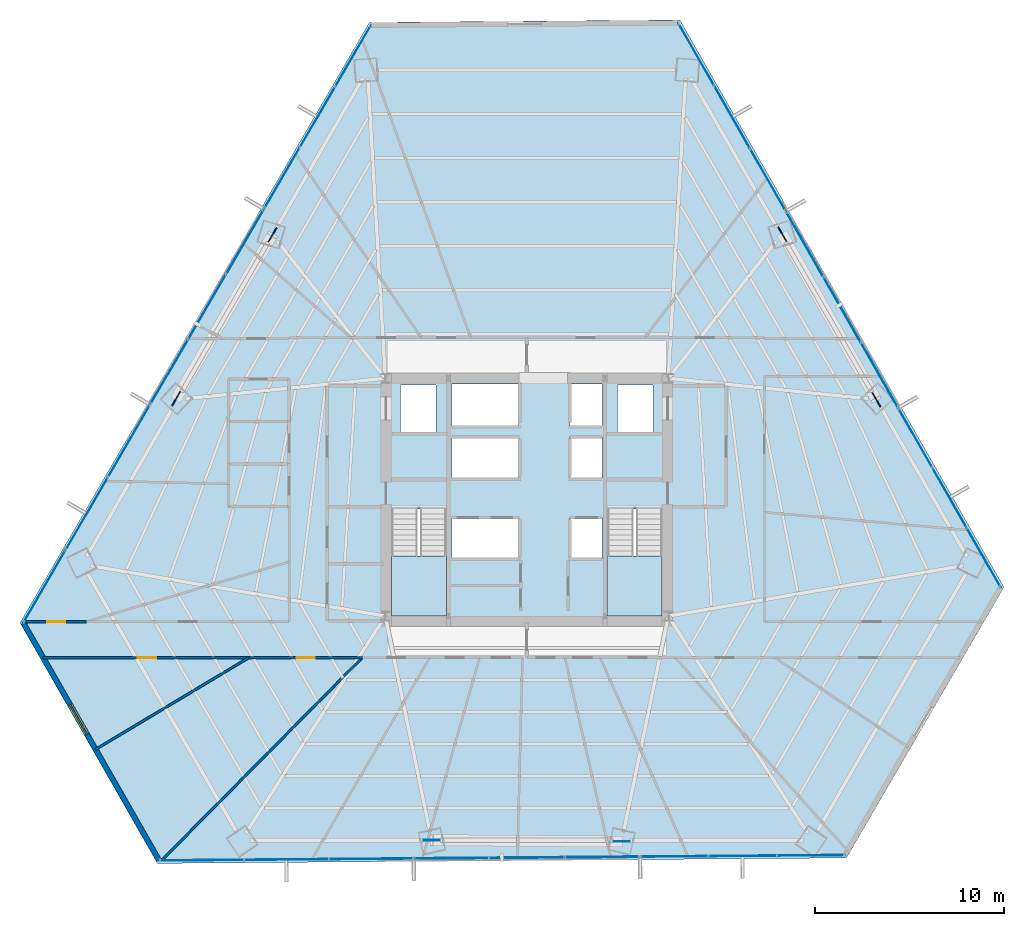
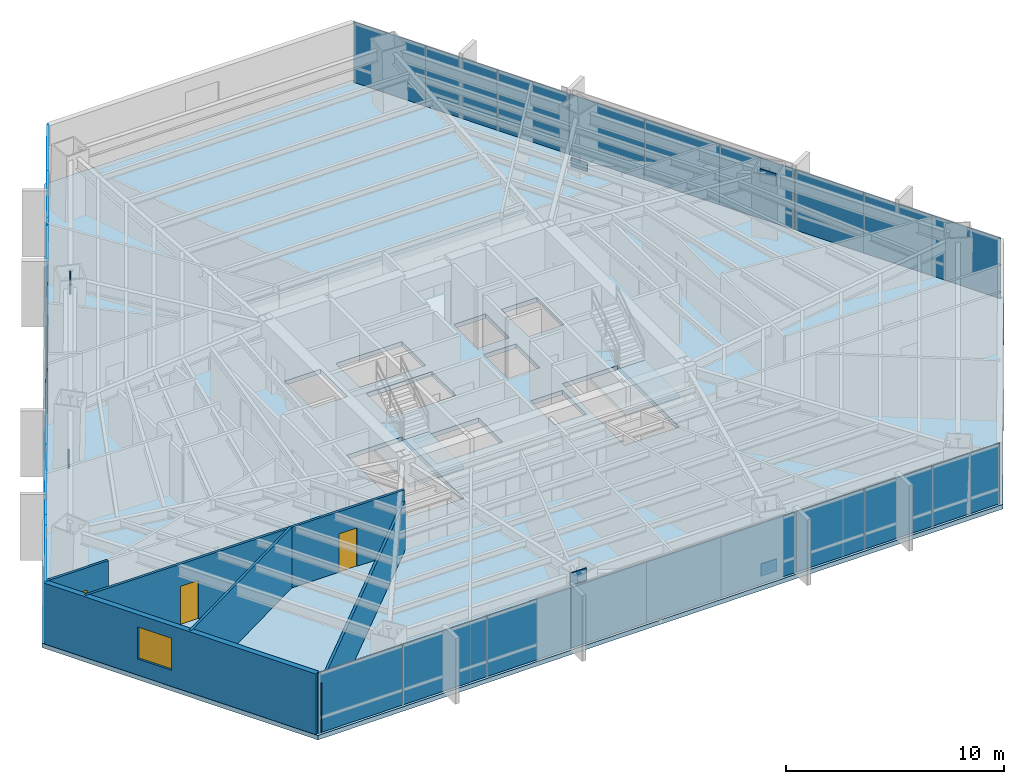
# One storey, part 29 of 36: 33 plates, 6 walls, 3 doors, 3 slabs, 1 window, 4 openings, 11 elements without a shape of their own.
"""IFC4 building model written with IfcOpenShell, lengths in metres."""

from ifc_helpers import new_model, si_unit, direction, frame, frame_2d, origin, origin_2d, place, context, subcontext, project, spatial, polyline, rectangle, outline, extrude, source, transform, mapped, material, layer, layer_set, type_object, type_shapes, element, fill, aggregate, save


model = new_model("IFC4")

# Units and contexts
model_context = context("Model", 3, precision=1e-05, world=origin(), true_north=direction((0.0, 1.0)))
body_context = subcontext(model_context, "Body", "Model", "MODEL_VIEW")
ifc_project = project(units=[si_unit("LENGTHUNIT", "METRE"), si_unit("AREAUNIT", "SQUARE_METRE"), si_unit("VOLUMEUNIT", "CUBIC_METRE"), si_unit("PLANEANGLEUNIT", "RADIAN"), si_unit("MASSUNIT", "GRAM", prefix="KILO")], contexts=[model_context])

# Site, building, storey
site_placement = place(None, origin())
site = spatial("IfcSite", under=ifc_project, at=site_placement, CompositionType="ELEMENT")
building_placement = place(site_placement, origin())
building = spatial("IfcBuilding", under=site, at=building_placement, Name="Caelisora Broadcast Tower", CompositionType="ELEMENT")
storey_placement = place(building_placement, frame((0.0, 0.0, 60.449951171875)))
storey = spatial("IfcBuildingStorey", under=building, at=storey_placement, Name="L15", CompositionType="ELEMENT", Elevation=60.449951171875)

# Slab
ifc_material_1 = material(Name="Concrete 40 MPa (AS 3600 N40)", Category="concrete")
ifc_layer_1 = layer(ifc_material_1, 0.25, Name="Concrete 40 MPa (AS 3600 N40)")
ifc_layer_set_1 = layer_set([ifc_layer_1], Name="Concrete 40 MPa (AS 3600 N40)")
slab_type_1 = type_object("IfcSlabType", Name="SL04", PredefinedType="FLOOR", material=ifc_layer_set_1)
slab_1_placement = place(storey_placement, frame((0.0, 0.0, -0.25)))
element("IfcSlab", 1, at=slab_1_placement, inside=storey, type_object=slab_type_1, Name="L15 suspended floor SL04", PredefinedType="FLOOR", context=body_context, shape_type="SweptSolid", body=[
    extrude(outline(polyline([(46.118896484375, 48.989013671875), (29.654052734375, 48.85791015625), (11.14208984375, 17.0400390625), (18.425048828125, 4.2880859375), (54.946044921875, 4.5791015625), (63.2919921875, 18.924072265625), (46.118896484375, 48.989013671875)]), holes=[polyline([(30.820068359375, 17.39990234375), (33.739990234375, 17.39990234375), (33.739990234375, 23.080078125), (30.820068359375, 23.080078125), (30.820068359375, 17.39990234375)]), polyline([(42.260009765625, 17.39990234375), (45.179931640625, 17.39990234375), (45.179931640625, 23.080078125), (42.260009765625, 23.080078125), (42.260009765625, 17.39990234375)]), polyline([(42.800048828125, 27.14990234375), (44.699951171875, 27.14990234375), (44.699951171875, 29.64990234375), (42.800048828125, 29.64990234375), (42.800048828125, 27.14990234375)]), polyline([(40.300048828125, 20.429931640625), (42.0, 20.429931640625), (42.0, 22.6298828125), (40.300048828125, 22.6298828125), (40.300048828125, 20.429931640625)]), polyline([(40.300048828125, 24.719970703125), (42.0, 24.719970703125), (42.0, 26.919921875), (40.300048828125, 26.919921875), (40.300048828125, 24.719970703125)]), polyline([(40.300048828125, 27.5), (42.0, 27.5), (42.0, 29.699951171875), (40.300048828125, 29.699951171875), (40.300048828125, 27.5)]), polyline([(34.050048828125, 20.429931640625), (37.550048828125, 20.429931640625), (37.550048828125, 22.6298828125), (34.050048828125, 22.6298828125), (34.050048828125, 20.429931640625)]), polyline([(34.050048828125, 24.719970703125), (37.550048828125, 24.719970703125), (37.550048828125, 26.919921875), (34.050048828125, 26.919921875), (34.050048828125, 24.719970703125)]), polyline([(34.050048828125, 27.5), (37.550048828125, 27.5), (37.550048828125, 29.699951171875), (34.050048828125, 29.699951171875), (34.050048828125, 27.5)]), polyline([(31.300048828125, 27.14990234375), (33.199951171875, 27.14990234375), (33.199951171875, 29.64990234375), (31.300048828125, 29.64990234375), (31.300048828125, 27.14990234375)])]), origin(), (0.0, 0.0, 1.0), 0.25),
])

# Stair, slab
stair_type_1 = type_object("IfcStairType", Name="ST-1", PredefinedType="HALF_TURN_STAIR", material=ifc_material_1)
stair_1_placement = place(storey_placement, origin())
stair_1 = element("IfcStair", 2, at=stair_1_placement, inside=storey, type_object=stair_type_1, Name="L15 West Fire-Isolated Tower Stair", PredefinedType="HALF_TURN_STAIR")
ifc_layer_2 = layer(ifc_material_1, 0.199951171875, Name="Concrete 40 MPa (AS 3600 N40)")
ifc_layer_set_2 = layer_set([ifc_layer_2], Name="Concrete 40 MPa (AS 3600 N40)")
slab_type_2 = type_object("IfcSlabType", Name="STL-1", PredefinedType="LANDING", material=ifc_layer_set_2)
slab_2_placement = place(storey_placement, frame((0.0, 0.0, 1.625)))
slab_2 = element("IfcSlab", 3, at=slab_2_placement, type_object=slab_type_2, Name="ST-1 landing 1", PredefinedType="LANDING", context=body_context, shape_type="SweptSolid", body=[
    extrude(outline(polyline([(30.820068359375, 20.580078125), (30.820068359375, 17.39990234375), (33.739990234375, 17.39990234375), (33.739990234375, 20.580078125), (30.820068359375, 20.580078125)])), origin(), (0.0, 0.0, 1.0), 0.199951171875),
])
aggregate(stair_1, [slab_2])

stair_type_2 = type_object("IfcStairType", Name="ST-2", PredefinedType="HALF_TURN_STAIR", material=ifc_material_1)
stair_2_placement = place(storey_placement, origin())
stair_2 = element("IfcStair", 4, at=stair_2_placement, inside=storey, type_object=stair_type_2, Name="L15 East Fire-Isolated Tower Stair", PredefinedType="HALF_TURN_STAIR")
slab_3_placement = place(storey_placement, frame((0.0, 0.0, 1.625)))
slab_3 = element("IfcSlab", 5, at=slab_3_placement, type_object=slab_type_2, Name="ST-2 landing 1", PredefinedType="LANDING", context=body_context, shape_type="SweptSolid", body=[
    extrude(outline(polyline([(42.260009765625, 20.580078125), (42.260009765625, 17.39990234375), (45.179931640625, 17.39990234375), (45.179931640625, 20.580078125), (42.260009765625, 20.580078125)])), origin(), (0.0, 0.0, 1.0), 0.199951171875),
])
aggregate(stair_2, [slab_3])

# Plates
ifc_material_2 = material(Name="Steel Grade 350 L15 (AS/NZS 3678)", Category="steel")
ifc_layer_3 = layer(ifc_material_2, 0.050048828125, Name="Steel Grade 350 L15 (AS/NZS 3678)")
ifc_layer_set_3 = layer_set([ifc_layer_3], Name="Steel Grade 350 L15 (AS/NZS 3678)")
plate_type_1 = type_object("IfcPlateType", Name="GP03", PredefinedType="USERDEFINED", material=ifc_layer_set_3)
shared_shape_1 = source(origin(), body_context, "Body", "SweptSolid", [
    extrude(rectangle(XDim=0.85009765625, YDim=0.050048828125, at=origin_2d()), origin(), (0.0, 0.0, 1.0), 0.699951171875),
])
type_shapes(plate_type_1, [shared_shape_1])
for number, where, z_axis, x_axis, name in (
    (6, (24.51904296875, 37.6044921875, 2.72998046875), (0.0, 0.0, 1.0), (-0.5, -0.866025403784, 0.0), "L15 gusset plate GP03 (ND-L15-C02T)"),
    (7, (19.42333984375, 28.9228515625, -0.22998046875), (0.0, 0.0, 1.0), (-0.5, -0.866025403784, 0.0), "L15 gusset plate GP03 (ND-L15-C03B)"),
    (8, (32.958740234375, 5.52294921875, 2.72998046875), (0.0, 0.0, 1.0), (1.0, 0.0, 0.0), "L15 gusset plate GP03 (ND-L15-C06T)"),
    (9, (43.02490234375, 5.45068359375, -0.22998046875), (0.0, 0.0, 1.0), (1.0, 0.0, 0.0), "L15 gusset plate GP03 (ND-L15-C07B)"),
    (10, (56.522216796875, 28.87255859375, 2.72998046875), (0.0, 0.0, 1.0), (-0.5, 0.866025403784, 0.0), "L15 gusset plate GP03 (ND-L15-C10T)"),
    (11, (51.5517578125, 37.62646484375, -0.22998046875), (0.0, 0.0, 1.0), (-0.5, 0.866025403784, 0.0), "L15 gusset plate GP03 (ND-L15-C11B)"),
):
    element("IfcPlate", number, at=place(storey_placement, frame(where, z_axis=z_axis, x_axis=x_axis)), inside=storey, type_object=plate_type_1, Name=name, ObjectType="GUSSET PLATE", PredefinedType="USERDEFINED", context=body_context, shape_type="MappedRepresentation", body=[
        mapped(shared_shape_1, transform((0.0, 0.0, 0.0), scale=1.0)),
    ])

# Curtain wall, plates
ifc_material_3 = material(Name="Unitised Aluminium and Low-E Glass Curtain Wall", Category="glass")
curtain_wall_type_1 = type_object("IfcCurtainWallType", Name="CW-Z1", PredefinedType="NOTDEFINED", material=ifc_material_3)
curtain_wall_1_placement = place(storey_placement, origin())
curtain_wall_1 = element("IfcCurtainWall", 12, at=curtain_wall_1_placement, inside=storey, type_object=curtain_wall_type_1, Name="L15 curtain wall CW-Z1", PredefinedType="NOTDEFINED")
ifc_material_4 = material(Name="Double Glazed Low-E Argon IGU", Category="glass")
ifc_layer_4 = layer(ifc_material_4, 0.035888671875, Name="Double Glazed Low-E Argon IGU")
ifc_layer_set_4 = layer_set([ifc_layer_4], Name="Double Glazed Low-E Argon IGU")
plate_type_2 = type_object("IfcPlateType", Name="CWP-02", PredefinedType="CURTAIN_PANEL", material=ifc_layer_set_4)
shared_shape_2 = source(origin(), body_context, "Body", "SweptSolid", [
    extrude(rectangle(XDim=3.8310546875, YDim=0.035888671875, at=origin_2d()), origin(), (0.0, 0.0, 1.0), 3.39990234375),
])
plate_1_placement = place(storey_placement, frame((46.982177734375, 47.1748046875, 0.0), z_axis=(0.0, 0.0, 1.0), x_axis=(0.496064966839, -0.868285407383, 0.0)))
plate_1 = element("IfcPlate", 13, at=plate_1_placement, type_object=plate_type_2, Name="L15-CW-B01 glazed panel #1", PredefinedType="CURTAIN_PANEL", context=body_context, shape_type="MappedRepresentation", body=[
    mapped(shared_shape_2, transform((0.0, 0.0, 0.0), scale=1.0)),
])
plate_2_placement = place(storey_placement, frame((48.88232421875, 43.84814453125, 0.0), z_axis=(0.0, 0.0, 1.0), x_axis=(0.496064966839, -0.868285407383, 0.0)))
plate_2 = element("IfcPlate", 14, at=plate_2_placement, type_object=plate_type_2, Name="L15-CW-B01 glazed panel #2", PredefinedType="CURTAIN_PANEL", context=body_context, shape_type="MappedRepresentation", body=[
    mapped(shared_shape_2, transform((0.0, 0.0, 0.0), scale=1.0)),
])
plate_3_placement = place(storey_placement, frame((50.782470703125, 40.521484375, 0.0), z_axis=(0.0, 0.0, 1.0), x_axis=(0.496064966839, -0.868285407383, 0.0)))
plate_3 = element("IfcPlate", 15, at=plate_3_placement, type_object=plate_type_2, Name="L15-CW-B01 glazed panel #3", PredefinedType="CURTAIN_PANEL", context=body_context, shape_type="MappedRepresentation", body=[
    mapped(shared_shape_2, transform((0.0, 0.0, 0.0), scale=1.0)),
])
aggregate(curtain_wall_1, [plate_1, plate_2, plate_3])

ifc_material_5 = material(Name="Unitised Aluminium Insulated Shadow-Box Spandrel Curtain Wall", Category="aluminium")
curtain_wall_type_2 = type_object("IfcCurtainWallType", Name="CW-SP1", PredefinedType="NOTDEFINED", material=ifc_material_5)
curtain_wall_2_placement = place(storey_placement, origin())
curtain_wall_2 = element("IfcCurtainWall", 16, at=curtain_wall_2_placement, inside=storey, type_object=curtain_wall_type_2, Name="L15 curtain wall CW-SP1", PredefinedType="NOTDEFINED")
ifc_material_6 = material(Name="Insulated Terracotta Shadow-Box Spandrel Panel", Category="aluminium")
ifc_layer_5 = layer(ifc_material_6, 0.0439453125, Name="Insulated Terracotta Shadow-Box Spandrel Panel")
ifc_layer_set_5 = layer_set([ifc_layer_5], Name="Insulated Terracotta Shadow-Box Spandrel Panel")
plate_type_3 = type_object("IfcPlateType", Name="CWP-10", PredefinedType="CURTAIN_PANEL", material=ifc_layer_set_5)
shared_shape_3 = source(origin(), body_context, "Body", "SweptSolid", [
    extrude(rectangle(XDim=3.99658203125, YDim=0.0439453125, at=origin_2d()), origin(), (0.0, 0.0, 1.0), 3.39990234375),
])
type_shapes(plate_type_3, [shared_shape_3])
plate_4_placement = place(storey_placement, frame((52.728759765625, 37.114501953125, 0.0), z_axis=(0.0, 0.0, 1.0), x_axis=(0.496064966839, -0.868285407383, 0.0)))
plate_4 = element("IfcPlate", 17, at=plate_4_placement, type_object=plate_type_3, Name="L15-CW-B02 spandrel panel #1", PredefinedType="CURTAIN_PANEL", context=body_context, shape_type="MappedRepresentation", body=[
    mapped(shared_shape_3, transform((0.0, 0.0, 0.0), scale=1.0)),
])
plate_5_placement = place(storey_placement, frame((54.711181640625, 33.644287109375, 0.0), z_axis=(0.0, 0.0, 1.0), x_axis=(0.496064966839, -0.868285407383, 0.0)))
plate_5 = element("IfcPlate", 18, at=plate_5_placement, type_object=plate_type_3, Name="L15-CW-B02 spandrel panel #2", PredefinedType="CURTAIN_PANEL", context=body_context, shape_type="MappedRepresentation", body=[
    mapped(shared_shape_3, transform((0.0, 0.0, 0.0), scale=1.0)),
])
plate_6_placement = place(storey_placement, frame((56.693359375, 30.173828125, 0.0), z_axis=(0.0, 0.0, 1.0), x_axis=(0.496064966839, -0.868285407383, 0.0)))
plate_6 = element("IfcPlate", 19, at=plate_6_placement, type_object=plate_type_3, Name="L15-CW-B02 spandrel panel #3", PredefinedType="CURTAIN_PANEL", context=body_context, shape_type="MappedRepresentation", body=[
    mapped(shared_shape_3, transform((0.0, 0.0, 0.0), scale=1.0)),
])
aggregate(curtain_wall_2, [plate_4, plate_5, plate_6])

curtain_wall_3_placement = place(storey_placement, origin())
curtain_wall_3 = element("IfcCurtainWall", 20, at=curtain_wall_3_placement, inside=storey, type_object=curtain_wall_type_2, Name="L15 curtain wall CW-SP1", PredefinedType="NOTDEFINED")
plate_7_placement = place(storey_placement, frame((42.003173828125, 4.625732421875, 0.0), z_axis=(0.0, 0.0, 1.0), x_axis=(-0.99996777165, -0.00802842831, 0.0)))
plate_7 = element("IfcPlate", 21, at=plate_7_placement, type_object=plate_type_3, Name="L15-CW-B06 spandrel panel #1", PredefinedType="CURTAIN_PANEL", context=body_context, shape_type="MappedRepresentation", body=[
    mapped(shared_shape_3, transform((0.0, 0.0, 0.0), scale=1.0)),
])
plate_8_placement = place(storey_placement, frame((38.0068359375, 4.593994140625, 0.0), z_axis=(0.0, 0.0, 1.0), x_axis=(-0.99996777165, -0.00802842831, 0.0)))
plate_8 = element("IfcPlate", 22, at=plate_8_placement, type_object=plate_type_3, Name="L15-CW-B06 spandrel panel #2", PredefinedType="CURTAIN_PANEL", context=body_context, shape_type="MappedRepresentation", body=[
    mapped(shared_shape_3, transform((0.0, 0.0, 0.0), scale=1.0)),
])
plate_9_placement = place(storey_placement, frame((34.010498046875, 4.562255859375, 0.0), z_axis=(0.0, 0.0, 1.0), x_axis=(-0.99996777165, -0.00802842831, 0.0)))
plate_9 = element("IfcPlate", 23, at=plate_9_placement, type_object=plate_type_3, Name="L15-CW-B06 spandrel panel #3", PredefinedType="CURTAIN_PANEL", context=body_context, shape_type="MappedRepresentation", body=[
    mapped(shared_shape_3, transform((0.0, 0.0, 0.0), scale=1.0)),
])
aggregate(curtain_wall_3, [plate_7, plate_8, plate_9])

curtain_wall_4_placement = place(storey_placement, origin())
curtain_wall_4 = element("IfcCurtainWall", 24, at=curtain_wall_4_placement, inside=storey, type_object=curtain_wall_type_2, Name="L15 curtain wall CW-SP1", PredefinedType="NOTDEFINED")
plate_10_placement = place(storey_placement, frame((19.04833984375, 30.330810546875, 0.0), z_axis=(0.0, 0.0, 1.0), x_axis=(0.50286909456, 0.864362582332, 0.0)))
plate_10 = element("IfcPlate", 25, at=plate_10_placement, type_object=plate_type_3, Name="L15-CW-B10 spandrel panel #1", PredefinedType="CURTAIN_PANEL", context=body_context, shape_type="MappedRepresentation", body=[
    mapped(shared_shape_3, transform((0.0, 0.0, 0.0), scale=1.0)),
])
plate_11_placement = place(storey_placement, frame((21.05810546875, 33.785400390625, 0.0), z_axis=(0.0, 0.0, 1.0), x_axis=(0.50286909456, 0.864362582332, 0.0)))
plate_11 = element("IfcPlate", 26, at=plate_11_placement, type_object=plate_type_3, Name="L15-CW-B10 spandrel panel #2", PredefinedType="CURTAIN_PANEL", context=body_context, shape_type="MappedRepresentation", body=[
    mapped(shared_shape_3, transform((0.0, 0.0, 0.0), scale=1.0)),
])
plate_12_placement = place(storey_placement, frame((23.068115234375, 37.23974609375, 0.0), z_axis=(0.0, 0.0, 1.0), x_axis=(0.50286909456, 0.864362582332, 0.0)))
plate_12 = element("IfcPlate", 27, at=plate_12_placement, type_object=plate_type_3, Name="L15-CW-B10 spandrel panel #3", PredefinedType="CURTAIN_PANEL", context=body_context, shape_type="MappedRepresentation", body=[
    mapped(shared_shape_3, transform((0.0, 0.0, 0.0), scale=1.0)),
])
aggregate(curtain_wall_4, [plate_10, plate_11, plate_12])

curtain_wall_5_placement = place(storey_placement, origin())
curtain_wall_5 = element("IfcCurtainWall", 28, at=curtain_wall_5_placement, inside=storey, type_object=curtain_wall_type_1, Name="L15 curtain wall CW-Z1", PredefinedType="NOTDEFINED")
shared_shape_4 = source(origin(), body_context, "Body", "SweptSolid", [
    extrude(rectangle(XDim=3.648681640625, YDim=0.035888671875, at=origin_2d()), origin(), (0.0, 0.0, 1.0), 3.39990234375),
])
plate_13_placement = place(storey_placement, frame((58.594482421875, 26.845703125, 0.0), z_axis=(0.0, 0.0, 1.0), x_axis=(0.496064966839, -0.868285407383, 0.0)))
plate_13 = element("IfcPlate", 29, at=plate_13_placement, type_object=plate_type_2, Name="L15-CW-B03 glazed panel #1", PredefinedType="CURTAIN_PANEL", context=body_context, shape_type="MappedRepresentation", body=[
    mapped(shared_shape_4, transform((0.0, 0.0, 0.0), scale=1.0)),
])
plate_14_placement = place(storey_placement, frame((60.404296875, 23.677490234375, 0.0), z_axis=(0.0, 0.0, 1.0), x_axis=(0.496064966839, -0.868285407383, 0.0)))
plate_14 = element("IfcPlate", 30, at=plate_14_placement, type_object=plate_type_2, Name="L15-CW-B03 glazed panel #2", PredefinedType="CURTAIN_PANEL", context=body_context, shape_type="MappedRepresentation", body=[
    mapped(shared_shape_4, transform((0.0, 0.0, 0.0), scale=1.0)),
])
plate_15_placement = place(storey_placement, frame((62.214111328125, 20.50927734375, 0.0), z_axis=(0.0, 0.0, 1.0), x_axis=(0.496064966839, -0.868285407383, 0.0)))
plate_15 = element("IfcPlate", 31, at=plate_15_placement, type_object=plate_type_2, Name="L15-CW-B03 glazed panel #3", PredefinedType="CURTAIN_PANEL", context=body_context, shape_type="MappedRepresentation", body=[
    mapped(shared_shape_4, transform((0.0, 0.0, 0.0), scale=1.0)),
])
aggregate(curtain_wall_5, [plate_13, plate_14, plate_15])

curtain_wall_6_placement = place(storey_placement, origin())
curtain_wall_6 = element("IfcCurtainWall", 32, at=curtain_wall_6_placement, inside=storey, type_object=curtain_wall_type_1, Name="L15 curtain wall CW-Z1", PredefinedType="NOTDEFINED")
shared_shape_5 = source(origin(), body_context, "Body", "SweptSolid", [
    extrude(rectangle(XDim=3.615966796875, YDim=0.035888671875, at=origin_2d()), origin(), (0.0, 0.0, 1.0), 3.39990234375),
])
plate_16_placement = place(storey_placement, frame((53.051025390625, 4.713623046875, 0.0), z_axis=(0.0, 0.0, 1.0), x_axis=(-0.99996777165, -0.00802842831, 0.0)))
plate_16 = element("IfcPlate", 33, at=plate_16_placement, type_object=plate_type_2, Name="L15-CW-B05 glazed panel #1", PredefinedType="CURTAIN_PANEL", context=body_context, shape_type="MappedRepresentation", body=[
    mapped(shared_shape_5, transform((0.0, 0.0, 0.0), scale=1.0)),
])
plate_17_placement = place(storey_placement, frame((49.435302734375, 4.684814453125, 0.0), z_axis=(0.0, 0.0, 1.0), x_axis=(-0.99996777165, -0.00802842831, 0.0)))
plate_17 = element("IfcPlate", 34, at=plate_17_placement, type_object=plate_type_2, Name="L15-CW-B05 glazed panel #2", PredefinedType="CURTAIN_PANEL", context=body_context, shape_type="MappedRepresentation", body=[
    mapped(shared_shape_5, transform((0.0, 0.0, 0.0), scale=1.0)),
])
plate_18_placement = place(storey_placement, frame((45.8193359375, 4.656005859375, 0.0), z_axis=(0.0, 0.0, 1.0), x_axis=(-0.99996777165, -0.00802842831, 0.0)))
plate_18 = element("IfcPlate", 35, at=plate_18_placement, type_object=plate_type_2, Name="L15-CW-B05 glazed panel #3", PredefinedType="CURTAIN_PANEL", context=body_context, shape_type="MappedRepresentation", body=[
    mapped(shared_shape_5, transform((0.0, 0.0, 0.0), scale=1.0)),
])
aggregate(curtain_wall_6, [plate_16, plate_17, plate_18])

curtain_wall_7_placement = place(storey_placement, origin())
curtain_wall_7 = element("IfcCurtainWall", 36, at=curtain_wall_7_placement, inside=storey, type_object=curtain_wall_type_1, Name="L15 curtain wall CW-Z1", PredefinedType="NOTDEFINED")
shared_shape_6 = source(origin(), body_context, "Body", "SweptSolid", [
    extrude(rectangle(XDim=4.496826171875, YDim=0.035888671875, at=origin_2d()), origin(), (0.0, 0.0, 1.0), 3.39990234375),
])
plate_19_placement = place(storey_placement, frame((29.75390625, 4.5283203125, 0.0), z_axis=(0.0, 0.0, 1.0), x_axis=(-0.99996777165, -0.00802842831, 0.0)))
plate_19 = element("IfcPlate", 37, at=plate_19_placement, type_object=plate_type_2, Name="L15-CW-B07 glazed panel #1", PredefinedType="CURTAIN_PANEL", context=body_context, shape_type="MappedRepresentation", body=[
    mapped(shared_shape_6, transform((0.0, 0.0, 0.0), scale=1.0)),
])
plate_20_placement = place(storey_placement, frame((25.257080078125, 4.49267578125, 0.0), z_axis=(0.0, 0.0, 1.0), x_axis=(-0.99996777165, -0.00802842831, 0.0)))
plate_20 = element("IfcPlate", 38, at=plate_20_placement, type_object=plate_type_2, Name="L15-CW-B07 glazed panel #2", PredefinedType="CURTAIN_PANEL", context=body_context, shape_type="MappedRepresentation", body=[
    mapped(shared_shape_6, transform((0.0, 0.0, 0.0), scale=1.0)),
])
plate_21_placement = place(storey_placement, frame((20.760498046875, 4.456787109375, 0.0), z_axis=(0.0, 0.0, 1.0), x_axis=(-0.99996777165, -0.00802842831, 0.0)))
plate_21 = element("IfcPlate", 39, at=plate_21_placement, type_object=plate_type_2, Name="L15-CW-B07 glazed panel #3", PredefinedType="CURTAIN_PANEL", context=body_context, shape_type="MappedRepresentation", body=[
    mapped(shared_shape_6, transform((0.0, 0.0, 0.0), scale=1.0)),
])
aggregate(curtain_wall_7, [plate_19, plate_20, plate_21])

curtain_wall_8_placement = place(storey_placement, origin())
curtain_wall_8 = element("IfcCurtainWall", 40, at=curtain_wall_8_placement, inside=storey, type_object=curtain_wall_type_1, Name="L15 curtain wall CW-Z1", PredefinedType="NOTDEFINED")
shared_shape_7 = source(origin(), body_context, "Body", "SweptSolid", [
    extrude(rectangle(XDim=4.45654296875, YDim=0.035888671875, at=origin_2d()), origin(), (0.0, 0.0, 1.0), 3.39990234375),
])
plate_22_placement = place(storey_placement, frame((12.435546875, 18.965087890625, 0.0), z_axis=(0.0, 0.0, 1.0), x_axis=(0.50286909456, 0.864362582332, 0.0)))
plate_22 = element("IfcPlate", 41, at=plate_22_placement, type_object=plate_type_2, Name="L15-CW-B09 glazed panel #1", PredefinedType="CURTAIN_PANEL", context=body_context, shape_type="MappedRepresentation", body=[
    mapped(shared_shape_7, transform((0.0, 0.0, 0.0), scale=1.0)),
])
plate_23_placement = place(storey_placement, frame((14.6767578125, 22.81689453125, 0.0), z_axis=(0.0, 0.0, 1.0), x_axis=(0.50286909456, 0.864362582332, 0.0)))
plate_23 = element("IfcPlate", 42, at=plate_23_placement, type_object=plate_type_2, Name="L15-CW-B09 glazed panel #2", PredefinedType="CURTAIN_PANEL", context=body_context, shape_type="MappedRepresentation", body=[
    mapped(shared_shape_7, transform((0.0, 0.0, 0.0), scale=1.0)),
])
plate_24_placement = place(storey_placement, frame((16.917724609375, 26.6689453125, 0.0), z_axis=(0.0, 0.0, 1.0), x_axis=(0.50286909456, 0.864362582332, 0.0)))
plate_24 = element("IfcPlate", 43, at=plate_24_placement, type_object=plate_type_2, Name="L15-CW-B09 glazed panel #3", PredefinedType="CURTAIN_PANEL", context=body_context, shape_type="MappedRepresentation", body=[
    mapped(shared_shape_7, transform((0.0, 0.0, 0.0), scale=1.0)),
])
aggregate(curtain_wall_8, [plate_22, plate_23, plate_24])

curtain_wall_9_placement = place(storey_placement, origin())
curtain_wall_9 = element("IfcCurtainWall", 44, at=curtain_wall_9_placement, inside=storey, type_object=curtain_wall_type_1, Name="L15 curtain wall CW-Z1", PredefinedType="NOTDEFINED")
shared_shape_8 = source(origin(), body_context, "Body", "SweptSolid", [
    extrude(rectangle(XDim=3.753662109375, YDim=0.035888671875, at=origin_2d()), origin(), (0.0, 0.0, 1.0), 3.39990234375),
])
type_shapes(plate_type_2, [shared_shape_2, shared_shape_4, shared_shape_5, shared_shape_6, shared_shape_7, shared_shape_8])
plate_25_placement = place(storey_placement, frame((25.021728515625, 40.597900390625, 0.0), z_axis=(0.0, 0.0, 1.0), x_axis=(0.50286909456, 0.864362582332, 0.0)))
plate_25 = element("IfcPlate", 45, at=plate_25_placement, type_object=plate_type_2, Name="L15-CW-B11 glazed panel #1", PredefinedType="CURTAIN_PANEL", context=body_context, shape_type="MappedRepresentation", body=[
    mapped(shared_shape_8, transform((0.0, 0.0, 0.0), scale=1.0)),
])
plate_26_placement = place(storey_placement, frame((26.909423828125, 43.84228515625, 0.0), z_axis=(0.0, 0.0, 1.0), x_axis=(0.50286909456, 0.864362582332, 0.0)))
plate_26 = element("IfcPlate", 46, at=plate_26_placement, type_object=plate_type_2, Name="L15-CW-B11 glazed panel #2", PredefinedType="CURTAIN_PANEL", context=body_context, shape_type="MappedRepresentation", body=[
    mapped(shared_shape_8, transform((0.0, 0.0, 0.0), scale=1.0)),
])
plate_27_placement = place(storey_placement, frame((28.797119140625, 47.0869140625, 0.0), z_axis=(0.0, 0.0, 1.0), x_axis=(0.50286909456, 0.864362582332, 0.0)))
plate_27 = element("IfcPlate", 47, at=plate_27_placement, type_object=plate_type_2, Name="L15-CW-B11 glazed panel #3", PredefinedType="CURTAIN_PANEL", context=body_context, shape_type="MappedRepresentation", body=[
    mapped(shared_shape_8, transform((0.0, 0.0, 0.0), scale=1.0)),
])
aggregate(curtain_wall_9, [plate_25, plate_26, plate_27])

# Wall, opening, window
ifc_material_7 = material(Name="Insulated Terracotta Spandrel Wall System", Category="masonry")
ifc_layer_6 = layer(ifc_material_7, 0.280029296875, Name="Insulated Terracotta Spandrel Wall System")
ifc_layer_set_6 = layer_set([ifc_layer_6], Name="Insulated Terracotta Spandrel Wall System")
wall_type_1 = type_object("IfcWallType", Name="EW1", PredefinedType="STANDARD", material=ifc_layer_set_6)
wall_1_placement = place(storey_placement, frame((18.4970703125, 4.465087890625, 0.0), z_axis=(0.0, 0.0, 1.0), x_axis=(-0.495984276953, 0.868331501798, 0.0)))
wall_1 = element("IfcWall", 48, at=wall_1_placement, inside=storey, type_object=wall_type_1, Name="L15 exterior envelope wall EW1", PredefinedType="STANDARD", context=body_context, shape_type="SweptSolid", body=[
    extrude(rectangle(XDim=14.450439453125, YDim=0.280029296875, at=frame_2d((7.22509765625, 0.0))), origin(), (0.0, 0.0, 1.0), 3.400146484375),
])
opening_1_placement = place(wall_1_placement, frame((7.679931640625, 0.0, 0.89990234375)))
opening_1 = element("IfcOpeningElement", 49, at=opening_1_placement, cuts=wall_1, Name="Opening W01", PredefinedType="OPENING", context=body_context, shape_type="SweptSolid", body=[
    extrude(rectangle(XDim=1.800048828125, YDim=1.800048828125, at=frame_2d((0.89990234375, 0.89990234375))), frame((0.0, 0.152099609375, 0.0), z_axis=(0.0, -1.0, 0.0), x_axis=(1.0, 0.0, 0.0)), (0.0, 0.0, 1.0), 0.303955078125),
])
ifc_material_8 = material(Name="Double Glazed Terracotta-Framed Vision Window", Category="glass")
window_type = type_object("IfcWindowType", Name="W01", PartitioningType="SINGLE_PANEL", PredefinedType="WINDOW", material=ifc_material_8)
window_placement = place(opening_1_placement, origin())
window = element("IfcWindow", 50, at=window_placement, inside=storey, type_object=window_type, Name="L15 window W01 (L15-WN-CH4)", OverallHeight=1.800048828125, OverallWidth=1.800048828125, PartitioningType="SINGLE_PANEL", PredefinedType="WINDOW", context=body_context, shape_type="SweptSolid", body=[
    extrude(rectangle(XDim=1.800048828125, YDim=1.800048828125, at=frame_2d((0.89990234375, 0.89990234375))), frame((0.0, 0.030029296875, 0.0), z_axis=(0.0, -1.0, 0.0), x_axis=(1.0, 0.0, 0.0)), (0.0, 0.0, 1.0), 0.06005859375),
])
fill(opening_1, window)

# Wall
ifc_material_9 = material(Name="Acoustic Steel-Stud Plasterboard Partition", Category="gypsum")
ifc_layer_7 = layer(ifc_material_9, 0.1298828125, Name="Acoustic Steel-Stud Plasterboard Partition")
ifc_layer_set_7 = layer_set([ifc_layer_7], Name="Acoustic Steel-Stud Plasterboard Partition")
wall_type_2 = type_object("IfcWallType", Name="PW3", PredefinedType="PARTITIONING", material=ifc_layer_set_7)
wall_2_placement = place(storey_placement, frame((18.6337890625, 4.434814453125, 0.0), z_axis=(0.0, 0.0, 1.0), x_axis=(0.703493947415, 0.710701249436, 0.0)))
element("IfcWall", 51, at=wall_2_placement, inside=storey, type_object=wall_type_2, Name="L15 internal partition PW3", PredefinedType="PARTITIONING", context=body_context, shape_type="SweptSolid", body=[
    extrude(rectangle(XDim=15.1416015625, YDim=0.1298828125, at=frame_2d((7.57080078125, 0.0))), origin(), (0.0, 0.0, 1.0), 2.782958984375),
])

# Wall, opening, door
wall_3_placement = place(storey_placement, frame((12.35986328125, 15.199951171875, 0.0), z_axis=(0.0, 0.0, 1.0), x_axis=(1.0, 0.0, 0.0)))
wall_3 = element("IfcWall", 52, at=wall_3_placement, inside=storey, type_object=wall_type_2, Name="L15 internal partition PW3", PredefinedType="PARTITIONING", context=body_context, shape_type="SweptSolid", body=[
    extrude(rectangle(XDim=10.9150390625, YDim=0.1298828125, at=frame_2d((5.45751953125, 0.0))), origin(), (0.0, 0.0, 1.0), 3.400146484375),
])
opening_2_placement = place(wall_3_placement, frame((5.031982421875, 0.0, 0.0)))
opening_2 = element("IfcOpeningElement", 53, at=opening_2_placement, cuts=wall_3, Name="Opening D01", PredefinedType="OPENING", context=body_context, shape_type="SweptSolid", body=[
    extrude(rectangle(XDim=0.9599609375, YDim=2.14990234375, at=frame_2d((0.47998046875, 1.074951171875))), frame((0.0, 0.076904296875, 0.0), z_axis=(0.0, -1.0, 0.0), x_axis=(1.0, 0.0, 0.0)), (0.0, 0.0, 1.0), 0.15380859375),
])
ifc_material_10 = material(Name="Solid-Core Timber Acoustic Office Door", Category="wood")
door_type = type_object("IfcDoorType", Name="D01", OperationType="NOTDEFINED", PredefinedType="DOOR", material=ifc_material_10)
door_1_placement = place(opening_2_placement, origin())
door_1 = element("IfcDoor", 54, at=door_1_placement, inside=storey, type_object=door_type, Name="L15 door D01 (L15-DR-P37D1)", OperationType="SINGLE_SWING_RIGHT", OverallHeight=2.14990234375, OverallWidth=0.9599609375, PredefinedType="DOOR", context=body_context, shape_type="SweptSolid", body=[
    extrude(rectangle(XDim=0.9599609375, YDim=2.14990234375, at=frame_2d((0.47998046875, 1.074951171875))), frame((0.0, 0.02490234375, 0.0), z_axis=(0.0, -1.0, 0.0), x_axis=(1.0, 0.0, 0.0)), (0.0, 0.0, 1.0), 0.050048828125),
])
fill(opening_2, door_1)

# Wall
wall_4_placement = place(storey_placement, frame((15.141845703125, 10.3291015625, 0.0), z_axis=(0.0, 0.0, 1.0), x_axis=(0.858074134011, 0.513525832399, 0.0)))
element("IfcWall", 55, at=wall_4_placement, inside=storey, type_object=wall_type_2, Name="L15 internal partition PW3", PredefinedType="PARTITIONING", context=body_context, shape_type="SweptSolid", body=[
    extrude(rectangle(XDim=9.4794921875, YDim=0.1298828125, at=frame_2d((4.73974609375, 0.0))), origin(), (0.0, 0.0, 1.0), 3.400146484375),
])

# Wall, opening, door
wall_5_placement = place(storey_placement, frame((23.284912109375, 15.199951171875, 0.0), z_axis=(0.0, 0.0, 1.0), x_axis=(1.0, 0.0, 0.0)))
wall_5 = element("IfcWall", 56, at=wall_5_placement, inside=storey, type_object=wall_type_2, Name="L15 internal partition PW3", PredefinedType="PARTITIONING", context=body_context, shape_type="SweptSolid", body=[
    extrude(rectangle(XDim=6.0, YDim=0.1298828125, at=frame_2d((3.0, 0.0))), origin(), (0.0, 0.0, 1.0), 3.400146484375),
])
opening_3_placement = place(wall_5_placement, frame((2.52001953125, 0.0, 0.0)))
opening_3 = element("IfcOpeningElement", 57, at=opening_3_placement, cuts=wall_5, Name="Opening D01", PredefinedType="OPENING", context=body_context, shape_type="SweptSolid", body=[
    extrude(rectangle(XDim=0.9599609375, YDim=2.14990234375, at=frame_2d((0.47998046875, 1.074951171875))), frame((0.0, 0.076904296875, 0.0), z_axis=(0.0, -1.0, 0.0), x_axis=(1.0, 0.0, 0.0)), (0.0, 0.0, 1.0), 0.15380859375),
])
door_2_placement = place(opening_3_placement, origin())
door_2 = element("IfcDoor", 58, at=door_2_placement, inside=storey, type_object=door_type, Name="L15 door D01 (L15-DR-P53D1)", OperationType="SINGLE_SWING_RIGHT", OverallHeight=2.14990234375, OverallWidth=0.9599609375, PredefinedType="DOOR", context=body_context, shape_type="SweptSolid", body=[
    extrude(rectangle(XDim=0.9599609375, YDim=2.14990234375, at=frame_2d((0.47998046875, 1.074951171875))), frame((0.0, 0.02490234375, 0.0), z_axis=(0.0, -1.0, 0.0), x_axis=(1.0, 0.0, 0.0)), (0.0, 0.0, 1.0), 0.050048828125),
])
fill(opening_3, door_2)

wall_6_placement = place(storey_placement, frame((11.3447265625, 17.10009765625, 0.0), z_axis=(0.0, 0.0, 1.0), x_axis=(1.0, 0.0, 0.0)))
wall_6 = element("IfcWall", 59, at=wall_6_placement, inside=storey, type_object=wall_type_2, Name="L15 internal partition PW3", PredefinedType="PARTITIONING", context=body_context, shape_type="SweptSolid", body=[
    extrude(rectangle(XDim=3.310302734375, YDim=0.1298828125, at=frame_2d((1.6552734375, 0.0))), origin(), (0.0, 0.0, 1.0), 3.400146484375),
])
opening_4_placement = place(wall_6_placement, frame((1.23193359375, 0.0, 0.0)))
opening_4 = element("IfcOpeningElement", 60, at=opening_4_placement, cuts=wall_6, Name="Opening D01", PredefinedType="OPENING", context=body_context, shape_type="SweptSolid", body=[
    extrude(rectangle(XDim=0.9599609375, YDim=2.14990234375, at=frame_2d((0.47998046875, 1.074951171875))), frame((0.0, 0.076904296875, 0.0), z_axis=(0.0, -1.0, 0.0), x_axis=(1.0, 0.0, 0.0)), (0.0, 0.0, 1.0), 0.15380859375),
])
door_3_placement = place(opening_4_placement, origin())
door_3 = element("IfcDoor", 61, at=door_3_placement, inside=storey, type_object=door_type, Name="L15 door D01 (L15-DR-P61D1)", OperationType="SINGLE_SWING_RIGHT", OverallHeight=2.14990234375, OverallWidth=0.9599609375, PredefinedType="DOOR", context=body_context, shape_type="SweptSolid", body=[
    extrude(rectangle(XDim=0.9599609375, YDim=2.14990234375, at=frame_2d((0.47998046875, 1.074951171875))), frame((0.0, 0.02490234375, 0.0), z_axis=(0.0, -1.0, 0.0), x_axis=(1.0, 0.0, 0.0)), (0.0, 0.0, 1.0), 0.050048828125),
])
fill(opening_4, door_3)

save(model, "model.ifc")
